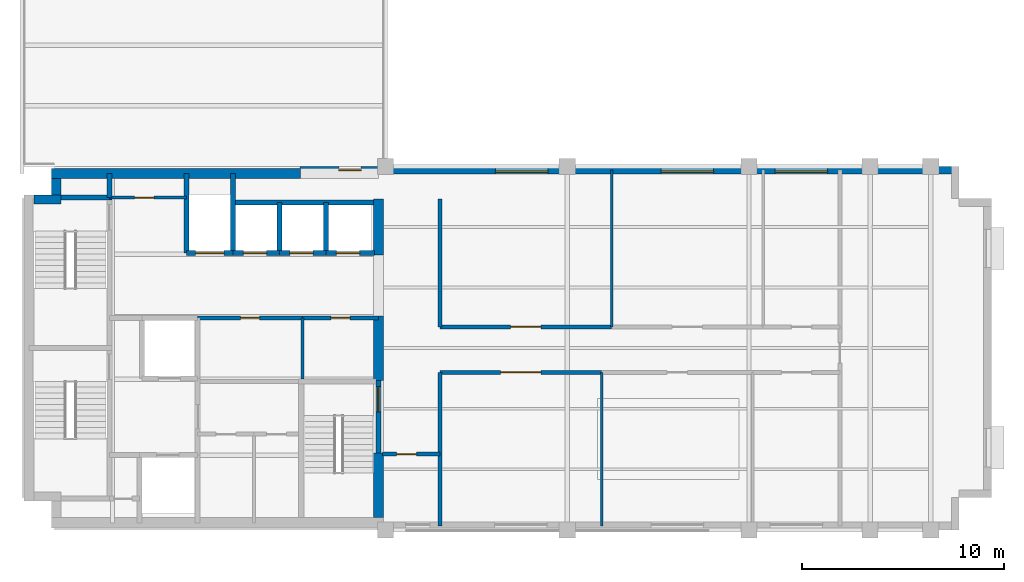
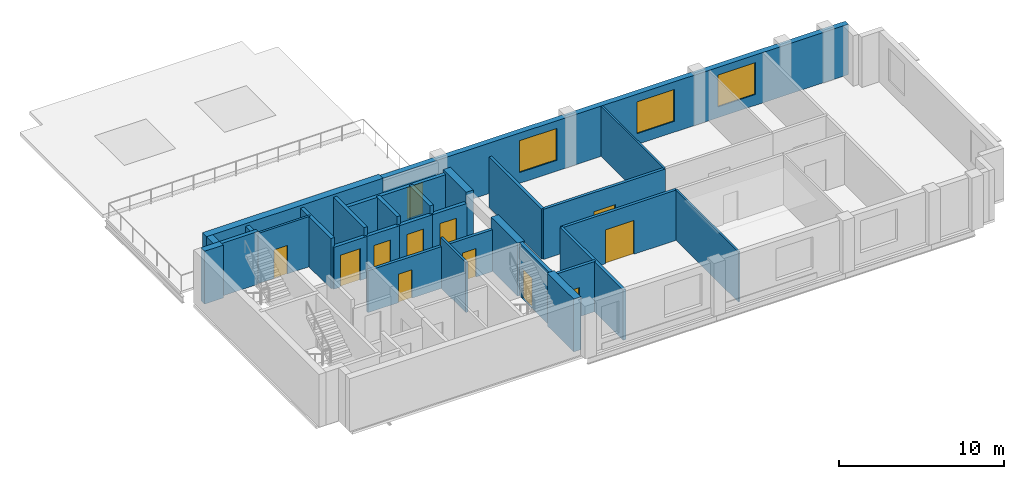
# One storey, part 3 of 5: 30 walls, 12 doors, 3 windows, 15 openings.
"""IFC4 building model written with IfcOpenShell, lengths in metres."""

from ifc_helpers import new_model, si_unit, direction, frame, frame_2d, origin, place, context, subcontext, project, spatial, rectangle, extrude, material, layer, layer_set, type_object, element, fill, save


model = new_model("IFC4")

# Units and contexts
model_context = context("Model", 3, precision=1e-05, world=origin(), true_north=direction((0.0, 1.0)))
body_context = subcontext(model_context, "Body", "Model", "MODEL_VIEW")
ifc_project = project(units=[si_unit("LENGTHUNIT", "METRE"), si_unit("AREAUNIT", "SQUARE_METRE"), si_unit("VOLUMEUNIT", "CUBIC_METRE"), si_unit("PLANEANGLEUNIT", "RADIAN"), si_unit("MASSUNIT", "GRAM", prefix="KILO")], contexts=[model_context])

# Site, building, storey
site_placement = place(None, origin())
site = spatial("IfcSite", under=ifc_project, at=site_placement, CompositionType="ELEMENT")
building_placement = place(site_placement, origin())
building = spatial("IfcBuilding", under=site, at=building_placement, Name="Mawjdan Bourse Tower", CompositionType="ELEMENT")
storey_placement = place(building_placement, frame((0.0, 0.0, 254.699951171875)))
storey = spatial("IfcBuildingStorey", under=building, at=storey_placement, Name="L62", CompositionType="ELEMENT", Elevation=254.699951171875)

# Wall, openings, door, windows
ifc_material_1 = material(Name="Brick Masonry Terracotta Red", Category="masonry")
ifc_layer_1 = layer(ifc_material_1, 0.3798828125)
ifc_layer_set_1 = layer_set([ifc_layer_1], Name="Brick Masonry Terracotta Red")
wall_type_1 = type_object("IfcWallType", Name="WL-BRK-RED-380", PredefinedType="STANDARD", material=ifc_layer_set_1)
wall_1_placement = place(storey_placement, frame((52.39990234375, 20.81005859375, 0.0), z_axis=(0.0, 0.0, 1.0), x_axis=(-1.0, 0.0, 0.0)))
wall_1 = element("IfcWall", 1, at=wall_1_placement, inside=storey, type_object=wall_type_1, Name="L62 Exterior Brick Wall 7", PredefinedType="STANDARD", context=body_context, shape_type="SweptSolid", body=[
    extrude(rectangle(XDim=32.619873046875, YDim=0.3798828125, at=frame_2d((16.31005859375, 0.0))), origin(), (0.0, 0.0, 1.0), 3.715087890625),
])
opening_1_placement = place(wall_1_placement, frame((29.60009765625, 0.0, 0.0)))
opening_1 = element("IfcOpeningElement", 2, at=opening_1_placement, cuts=wall_1, Name="Opening TD-L62-01", PredefinedType="OPENING", context=body_context, shape_type="SweptSolid", body=[
    extrude(rectangle(XDim=1.10009765625, YDim=2.300048828125, at=frame_2d((0.550048828125, 1.14990234375))), frame((0.0, 0.199951171875, 0.0), z_axis=(0.0, -1.0, 0.0), x_axis=(1.0, 0.0, 0.0)), (0.0, 0.0, 1.0), 0.39990234375),
])
opening_2_placement = place(wall_1_placement, frame((20.3544921875, 0.0, 0.800048828125)))
opening_2 = element("IfcOpeningElement", 3, at=opening_2_placement, cuts=wall_1, Name="Opening W-L62-07", PredefinedType="OPENING", context=body_context, shape_type="SweptSolid", body=[
    extrude(rectangle(XDim=2.60009765625, YDim=2.35009765625, at=frame_2d((1.300048828125, 1.175048828125))), frame((0.0, 0.199951171875, 0.0), z_axis=(0.0, -1.0, 0.0), x_axis=(1.0, 0.0, 0.0)), (0.0, 0.0, 1.0), 0.39990234375),
])
opening_3_placement = place(wall_1_placement, frame((12.154296875, 0.0, 0.800048828125)))
opening_3 = element("IfcOpeningElement", 4, at=opening_3_placement, cuts=wall_1, Name="Opening W-L62-08", PredefinedType="OPENING", context=body_context, shape_type="SweptSolid", body=[
    extrude(rectangle(XDim=2.60009765625, YDim=2.35009765625, at=frame_2d((1.300048828125, 1.175048828125))), frame((0.0, 0.199951171875, 0.0), z_axis=(0.0, -1.0, 0.0), x_axis=(1.0, 0.0, 0.0)), (0.0, 0.0, 1.0), 0.39990234375),
])
opening_4_placement = place(wall_1_placement, frame((6.50439453125, 0.0, 0.800048828125)))
opening_4 = element("IfcOpeningElement", 5, at=opening_4_placement, cuts=wall_1, Name="Opening W-L62-09", PredefinedType="OPENING", context=body_context, shape_type="SweptSolid", body=[
    extrude(rectangle(XDim=2.60009765625, YDim=2.35009765625, at=frame_2d((1.300048828125, 1.175048828125))), frame((0.0, 0.199951171875, 0.0), z_axis=(0.0, -1.0, 0.0), x_axis=(1.0, 0.0, 0.0)), (0.0, 0.0, 1.0), 0.39990234375),
])
ifc_material_2 = material(Name="Thermally Broken Glazed Aluminium", Category="aluminium")
door_type_1 = type_object("IfcDoorType", Name="DR-TER-1100", OperationType="NOTDEFINED", PredefinedType="DOOR", material=ifc_material_2)
door_1_placement = place(opening_1_placement, frame((1.10009765625, 0.0, 0.0), z_axis=(0.0, 0.0, 1.0), x_axis=(-1.0, 0.0, 0.0)))
door_1 = element("IfcDoor", 6, at=door_1_placement, inside=storey, type_object=door_type_1, Name="L62 Summit Sky Terrace Door", OperationType="SINGLE_SWING_RIGHT", OverallHeight=2.300048828125, OverallWidth=1.10009765625, PredefinedType="DOOR", context=body_context, shape_type="SweptSolid", body=[
    extrude(rectangle(XDim=1.10009765625, YDim=2.300048828125, at=frame_2d((0.550048828125, 1.14990234375))), frame((0.0, 0.02490234375, 0.0), z_axis=(0.0, -1.0, 0.0), x_axis=(1.0, 0.0, 0.0)), (0.0, 0.0, 1.0), 0.050048828125),
])
fill(opening_1, door_1)
ifc_material_3 = material(Name="Solar-Control Clear Double Glazing", Category="glass")
window_type = type_object("IfcWindowType", Name="WN-SMT-2600", PartitioningType="SINGLE_PANEL", PredefinedType="WINDOW", material=ifc_material_3)
window_1_placement = place(opening_2_placement, origin())
window_1 = element("IfcWindow", 7, at=window_1_placement, inside=storey, type_object=window_type, Name="L62 Deep-Set Masonry Window W-L62-07", OverallHeight=2.35009765625, OverallWidth=2.60009765625, PartitioningType="SINGLE_PANEL", PredefinedType="WINDOW", context=body_context, shape_type="SweptSolid", body=[
    extrude(rectangle(XDim=2.60009765625, YDim=2.35009765625, at=frame_2d((1.300048828125, 1.175048828125))), frame((0.0, 0.110107421875, 0.0), z_axis=(0.0, -1.0, 0.0), x_axis=(1.0, 0.0, 0.0)), (0.0, 0.0, 1.0), 0.06005859375),
])
fill(opening_2, window_1)
window_2_placement = place(opening_3_placement, origin())
window_2 = element("IfcWindow", 8, at=window_2_placement, inside=storey, type_object=window_type, Name="L62 Deep-Set Masonry Window W-L62-08", OverallHeight=2.35009765625, OverallWidth=2.60009765625, PartitioningType="SINGLE_PANEL", PredefinedType="WINDOW", context=body_context, shape_type="SweptSolid", body=[
    extrude(rectangle(XDim=2.60009765625, YDim=2.35009765625, at=frame_2d((1.300048828125, 1.175048828125))), frame((0.0, 0.110107421875, 0.0), z_axis=(0.0, -1.0, 0.0), x_axis=(1.0, 0.0, 0.0)), (0.0, 0.0, 1.0), 0.06005859375),
])
fill(opening_3, window_2)
window_3_placement = place(opening_4_placement, origin())
window_3 = element("IfcWindow", 9, at=window_3_placement, inside=storey, type_object=window_type, Name="L62 Deep-Set Masonry Window W-L62-09", OverallHeight=2.35009765625, OverallWidth=2.60009765625, PartitioningType="SINGLE_PANEL", PredefinedType="WINDOW", context=body_context, shape_type="SweptSolid", body=[
    extrude(rectangle(XDim=2.60009765625, YDim=2.35009765625, at=frame_2d((1.300048828125, 1.175048828125))), frame((0.0, 0.110107421875, 0.0), z_axis=(0.0, -1.0, 0.0), x_axis=(1.0, 0.0, 0.0)), (0.0, 0.0, 1.0), 0.06005859375),
])
fill(opening_4, window_3)

# Wall, opening, door
ifc_material_4 = material(Name="Gypsum Fireboard Assembly")
ifc_layer_2 = layer(ifc_material_4, 0.199951171875)
ifc_layer_set_2 = layer_set([ifc_layer_2], Name="Gypsum Fireboard Assembly")
wall_type_2 = type_object("IfcWallType", Name="WL-CMP-200", PredefinedType="PARTITIONING", material=ifc_layer_set_2)
wall_2_placement = place(storey_placement, frame((14.699951171875, 13.5, 0.0), z_axis=(0.0, 0.0, 1.0), x_axis=(1.0, 0.0, 0.0)))
wall_2 = element("IfcWall", 10, at=wall_2_placement, inside=storey, type_object=wall_type_2, Name="L62 Male Restroom North Wall", PredefinedType="PARTITIONING", context=body_context, shape_type="SweptSolid", body=[
    extrude(rectangle(XDim=5.199951171875, YDim=0.199951171875, at=frame_2d((2.60009765625, 0.0))), origin(), (0.0, 0.0, 1.0), 3.088134765625),
])
opening_5_placement = place(wall_2_placement, frame((2.125, 0.0, 0.0)))
opening_5 = element("IfcOpeningElement", 11, at=opening_5_placement, cuts=wall_2, Name="Opening D-L62-15", PredefinedType="OPENING", context=body_context, shape_type="SweptSolid", body=[
    extrude(rectangle(XDim=0.949951171875, YDim=2.10009765625, at=frame_2d((0.47509765625, 1.050048828125))), frame((0.0, 0.10986328125, 0.0), z_axis=(0.0, -1.0, 0.0), x_axis=(1.0, 0.0, 0.0)), (0.0, 0.0, 1.0), 0.219970703125),
])
ifc_material_5 = material(Name="Moisture-Resistant Laminate Timber", Category="wood")
door_type_2 = type_object("IfcDoorType", Name="DR-WET-0950", OperationType="NOTDEFINED", PredefinedType="DOOR", material=ifc_material_5)
door_2_placement = place(opening_5_placement, origin())
door_2 = element("IfcDoor", 12, at=door_2_placement, inside=storey, type_object=door_type_2, Name="L62 Male Restroom Door D-L62-15", OperationType="SINGLE_SWING_LEFT", OverallHeight=2.10009765625, OverallWidth=0.949951171875, PredefinedType="DOOR", context=body_context, shape_type="SweptSolid", body=[
    extrude(rectangle(XDim=0.949951171875, YDim=2.10009765625, at=frame_2d((0.47509765625, 1.050048828125))), frame((0.0, 0.02490234375, 0.0), z_axis=(0.0, -1.0, 0.0), x_axis=(1.0, 0.0, 0.0)), (0.0, 0.0, 1.0), 0.050048828125),
])
fill(opening_5, door_2)

wall_3_placement = place(storey_placement, frame((19.89990234375, 13.5, 0.0), z_axis=(0.0, 0.0, 1.0), x_axis=(1.0, 0.0, 0.0)))
wall_3 = element("IfcWall", 13, at=wall_3_placement, inside=storey, type_object=wall_type_2, Name="L62 Accessible WC North Wall", PredefinedType="PARTITIONING", context=body_context, shape_type="SweptSolid", body=[
    extrude(rectangle(XDim=3.75, YDim=0.199951171875, at=frame_2d((1.875, 0.0))), origin(), (0.0, 0.0, 1.0), 3.088134765625),
])
opening_6_placement = place(wall_3_placement, frame((1.39990234375, 0.0, 0.0)))
opening_6 = element("IfcOpeningElement", 14, at=opening_6_placement, cuts=wall_3, Name="Opening D-L62-16", PredefinedType="OPENING", context=body_context, shape_type="SweptSolid", body=[
    extrude(rectangle(XDim=0.949951171875, YDim=2.10009765625, at=frame_2d((0.47509765625, 1.050048828125))), frame((0.0, 0.10986328125, 0.0), z_axis=(0.0, -1.0, 0.0), x_axis=(1.0, 0.0, 0.0)), (0.0, 0.0, 1.0), 0.219970703125),
])
door_3_placement = place(opening_6_placement, origin())
door_3 = element("IfcDoor", 15, at=door_3_placement, inside=storey, type_object=door_type_2, Name="L62 Accessible WC Door D-L62-16", OperationType="SINGLE_SWING_RIGHT", OverallHeight=2.10009765625, OverallWidth=0.949951171875, PredefinedType="DOOR", context=body_context, shape_type="SweptSolid", body=[
    extrude(rectangle(XDim=0.949951171875, YDim=2.10009765625, at=frame_2d((0.47509765625, 1.050048828125))), frame((0.0, 0.02490234375, 0.0), z_axis=(0.0, -1.0, 0.0), x_axis=(1.0, 0.0, 0.0)), (0.0, 0.0, 1.0), 0.050048828125),
])
fill(opening_6, door_3)

wall_4_placement = place(storey_placement, frame((23.85009765625, 6.75, 0.0), z_axis=(0.0, 0.0, 1.0), x_axis=(1.0, 0.0, 0.0)))
wall_4 = element("IfcWall", 16, at=wall_4_placement, inside=storey, type_object=wall_type_2, Name="L62 West Pocket North Wall", PredefinedType="PARTITIONING", context=body_context, shape_type="SweptSolid", body=[
    extrude(rectangle(XDim=2.849853515625, YDim=0.199951171875, at=frame_2d((1.4248046875, 0.0))), origin(), (0.0, 0.0, 1.0), 3.705078125),
])
opening_7_placement = place(wall_4_placement, frame((0.699951171875, 0.0, 0.0)))
opening_7 = element("IfcOpeningElement", 17, at=opening_7_placement, cuts=wall_4, Name="Opening D-L62-18", PredefinedType="OPENING", context=body_context, shape_type="SweptSolid", body=[
    extrude(rectangle(XDim=1.0, YDim=2.14990234375, at=frame_2d((0.5, 1.074951171875))), frame((0.0, 0.10986328125, 0.0), z_axis=(0.0, -1.0, 0.0), x_axis=(1.0, 0.0, 0.0)), (0.0, 0.0, 1.0), 0.219970703125),
])
ifc_material_6 = material(Name="Hardwood Acoustic Leaf", Category="wood")
door_type_3 = type_object("IfcDoorType", Name="DR-OFC-1000", OperationType="NOTDEFINED", PredefinedType="DOOR", material=ifc_material_6)
door_4_placement = place(opening_7_placement, origin())
door_4 = element("IfcDoor", 18, at=door_4_placement, inside=storey, type_object=door_type_3, Name="L62 West Pocket Office Door D-L62-18", OperationType="SINGLE_SWING_RIGHT", OverallHeight=2.14990234375, OverallWidth=1.0, PredefinedType="DOOR", context=body_context, shape_type="SweptSolid", body=[
    extrude(rectangle(XDim=1.0, YDim=2.14990234375, at=frame_2d((0.5, 1.074951171875))), frame((0.0, 0.02490234375, 0.0), z_axis=(0.0, -1.0, 0.0), x_axis=(1.0, 0.0, 0.0)), (0.0, 0.0, 1.0), 0.050048828125),
])
fill(opening_7, door_4)

# Walls
wall_5_placement = place(storey_placement, frame((26.699951171875, 3.179931640625, 0.0), z_axis=(0.0, 0.0, 1.0), x_axis=(0.0, 1.0, 0.0)))
element("IfcWall", 19, at=wall_5_placement, inside=storey, type_object=wall_type_2, Name="L62 Vestibule South East Wall", PredefinedType="PARTITIONING", context=body_context, shape_type="SweptSolid", body=[
    extrude(rectangle(XDim=7.6201171875, YDim=0.199951171875, at=frame_2d((3.81005859375, 0.0))), origin(), (0.0, 0.0, 1.0), 3.705078125),
])
wall_6_placement = place(storey_placement, frame((26.699951171875, 13.050048828125, 0.0), z_axis=(0.0, 0.0, 1.0), x_axis=(0.0, 1.0, 0.0)))
element("IfcWall", 20, at=wall_6_placement, inside=storey, type_object=wall_type_2, Name="L62 Vestibule North East Wall", PredefinedType="PARTITIONING", context=body_context, shape_type="SweptSolid", body=[
    extrude(rectangle(XDim=6.329833984375, YDim=0.199951171875, at=frame_2d((3.1650390625, 0.0))), origin(), (0.0, 0.0, 1.0), 3.705078125),
])

# Wall, opening, door
wall_7_placement = place(storey_placement, frame((26.699951171875, 10.800048828125, 0.0), z_axis=(0.0, 0.0, 1.0), x_axis=(1.0, 0.0, 0.0)))
wall_7 = element("IfcWall", 21, at=wall_7_placement, inside=storey, type_object=wall_type_2, Name="L62 Summit Terrace Reception Hall Corridor Wall", PredefinedType="PARTITIONING", context=body_context, shape_type="SweptSolid", body=[
    extrude(rectangle(XDim=8.0, YDim=0.199951171875, at=frame_2d((4.0, 0.0))), origin(), (0.0, 0.0, 1.0), 3.705078125),
])
opening_8_placement = place(wall_7_placement, frame((3.0, 0.0, 0.0)))
opening_8 = element("IfcOpeningElement", 22, at=opening_8_placement, cuts=wall_7, Name="Opening D-L62-19", PredefinedType="OPENING", context=body_context, shape_type="SweptSolid", body=[
    extrude(rectangle(XDim=2.0, YDim=2.5, at=frame_2d((1.0, 1.25))), frame((0.0, 0.10986328125, 0.0), z_axis=(0.0, -1.0, 0.0), x_axis=(1.0, 0.0, 0.0)), (0.0, 0.0, 1.0), 0.219970703125),
])
ifc_material_7 = material(Name="Acoustic Veneered Timber", Category="wood")
door_type_4 = type_object("IfcDoorType", Name="DR-ASM-2000", OperationType="DOUBLE_DOOR_SINGLE_SWING", PredefinedType="DOOR", material=ifc_material_7)
door_5_placement = place(opening_8_placement, origin())
door_5 = element("IfcDoor", 23, at=door_5_placement, inside=storey, type_object=door_type_4, Name="L62 Summit Terrace Reception Hall Door D-L62-19", OperationType="DOUBLE_DOOR_SINGLE_SWING", OverallHeight=2.5, OverallWidth=2.0, PredefinedType="DOOR", context=body_context, shape_type="SweptSolid", body=[
    extrude(rectangle(XDim=2.0, YDim=2.5, at=frame_2d((1.0, 1.25))), frame((0.0, 0.02490234375, 0.0), z_axis=(0.0, -1.0, 0.0), x_axis=(1.0, 0.0, 0.0)), (0.0, 0.0, 1.0), 0.050048828125),
])
fill(opening_8, door_5)

wall_8_placement = place(storey_placement, frame((26.699951171875, 13.050048828125, 0.0), z_axis=(0.0, 0.0, 1.0), x_axis=(1.0, 0.0, 0.0)))
wall_8 = element("IfcWall", 24, at=wall_8_placement, inside=storey, type_object=wall_type_2, Name="L62 Conference Room Corridor Wall", PredefinedType="PARTITIONING", context=body_context, shape_type="SweptSolid", body=[
    extrude(rectangle(XDim=8.5, YDim=0.199951171875, at=frame_2d((4.25, 0.0))), origin(), (0.0, 0.0, 1.0), 3.705078125),
])
opening_9_placement = place(wall_8_placement, frame((3.5, 0.0, 0.0)))
opening_9 = element("IfcOpeningElement", 25, at=opening_9_placement, cuts=wall_8, Name="Opening D-L62-22", PredefinedType="OPENING", context=body_context, shape_type="SweptSolid", body=[
    extrude(rectangle(XDim=1.5, YDim=2.300048828125, at=frame_2d((0.75, 1.14990234375))), frame((0.0, 0.10986328125, 0.0), z_axis=(0.0, -1.0, 0.0), x_axis=(1.0, 0.0, 0.0)), (0.0, 0.0, 1.0), 0.219970703125),
])
ifc_material_8 = material(Name="Acoustic Glazed Timber", Category="wood")
door_type_5 = type_object("IfcDoorType", Name="DR-CNF-1500", OperationType="DOUBLE_DOOR_SINGLE_SWING", PredefinedType="DOOR", material=ifc_material_8)
door_6_placement = place(opening_9_placement, origin())
door_6 = element("IfcDoor", 26, at=door_6_placement, inside=storey, type_object=door_type_5, Name="L62 Conference Room Door D-L62-22", OperationType="DOUBLE_DOOR_SINGLE_SWING", OverallHeight=2.300048828125, OverallWidth=1.5, PredefinedType="DOOR", context=body_context, shape_type="SweptSolid", body=[
    extrude(rectangle(XDim=1.5, YDim=2.300048828125, at=frame_2d((0.75, 1.14990234375))), frame((0.0, 0.02490234375, 0.0), z_axis=(0.0, -1.0, 0.0), x_axis=(1.0, 0.0, 0.0)), (0.0, 0.0, 1.0), 0.050048828125),
])
fill(opening_9, door_6)

# Walls
ifc_material_9 = material(Name="Concrete C60/75", Category="concrete")
ifc_layer_3 = layer(ifc_material_9, 0.449951171875)
ifc_layer_set_3 = layer_set([ifc_layer_3], Name="Concrete C60/75")
wall_type_3 = type_object("IfcWallType", Name="WL-CORE-450", PredefinedType="SHEAR", material=ifc_layer_set_3)
wall_9_placement = place(storey_placement, frame((6.60009765625, 19.35009765625, 0.0), z_axis=(0.0, 0.0, 1.0), x_axis=(1.0, 0.0, 0.0)))
element("IfcWall", 27, at=wall_9_placement, inside=storey, type_object=wall_type_3, Name="L62 Rear Core Shear Wall NW-X", PredefinedType="SHEAR", context=body_context, shape_type="SweptSolid", body=[
    extrude(rectangle(XDim=1.324951171875, YDim=0.449951171875, at=frame_2d((0.66259765625, 0.0))), origin(), (0.0, 0.0, 1.0), 3.900146484375),
])
wall_10_placement = place(storey_placement, frame((7.699951171875, 19.574951171875, 0.0), z_axis=(0.0, 0.0, 1.0), x_axis=(0.0, 1.0, 0.0)))
element("IfcWall", 28, at=wall_10_placement, inside=storey, type_object=wall_type_3, Name="L62 Rear Core Shear Wall NW-Y", PredefinedType="SHEAR", context=body_context, shape_type="SweptSolid", body=[
    extrude(rectangle(XDim=0.824951171875, YDim=0.449951171875, at=frame_2d((0.41259765625, 0.0))), origin(), (0.0, 0.0, 1.0), 3.900146484375),
])
ifc_layer_4 = layer(ifc_material_9, 0.5)
ifc_layer_set_4 = layer_set([ifc_layer_4], Name="Concrete C60/75")
wall_type_4 = type_object("IfcWallType", Name="WL-CORE-500", PredefinedType="SHEAR", material=ifc_layer_set_4)
wall_11_placement = place(storey_placement, frame((7.47509765625, 20.64990234375, 0.0), z_axis=(0.0, 0.0, 1.0), x_axis=(1.0, 0.0, 0.0)))
element("IfcWall", 29, at=wall_11_placement, inside=storey, type_object=wall_type_4, Name="L62 Rear Core Shear Wall N", PredefinedType="SHEAR", context=body_context, shape_type="SweptSolid", body=[
    extrude(rectangle(XDim=12.324951171875, YDim=0.5, at=frame_2d((6.16259765625, 0.0))), origin(), (0.0, 0.0, 1.0), 3.900146484375),
])
wall_12_placement = place(storey_placement, frame((23.64990234375, 3.60009765625, 0.0), z_axis=(0.0, 0.0, 1.0), x_axis=(0.0, 1.0, 0.0)))
element("IfcWall", 30, at=wall_12_placement, inside=storey, type_object=wall_type_4, Name="L62 Rear Core Shear Wall E1", PredefinedType="SHEAR", context=body_context, shape_type="SweptSolid", body=[
    extrude(rectangle(XDim=3.199951171875, YDim=0.5, at=frame_2d((1.60009765625, 0.0))), origin(), (0.0, 0.0, 1.0), 3.900146484375),
])
wall_13_placement = place(storey_placement, frame((23.64990234375, 10.39990234375, 0.0), z_axis=(0.0, 0.0, 1.0), x_axis=(0.0, 1.0, 0.0)))
element("IfcWall", 31, at=wall_13_placement, inside=storey, type_object=wall_type_4, Name="L62 Rear Core Shear Wall E2", PredefinedType="SHEAR", context=body_context, shape_type="SweptSolid", body=[
    extrude(rectangle(XDim=3.2001953125, YDim=0.5, at=frame_2d((1.60009765625, 0.0))), origin(), (0.0, 0.0, 1.0), 3.900146484375),
])
wall_14_placement = place(storey_placement, frame((23.64990234375, 16.60009765625, 0.0), z_axis=(0.0, 0.0, 1.0), x_axis=(0.0, 1.0, 0.0)))
element("IfcWall", 32, at=wall_14_placement, inside=storey, type_object=wall_type_4, Name="L62 Rear Core Shear Wall E3", PredefinedType="SHEAR", context=body_context, shape_type="SweptSolid", body=[
    extrude(rectangle(XDim=2.77978515625, YDim=0.5, at=frame_2d((1.389892578125, 0.0))), origin(), (0.0, 0.0, 1.0), 3.900146484375),
])
ifc_material_10 = material(Name="Gypsum Partition")
ifc_layer_5 = layer(ifc_material_10, 0.125)
ifc_layer_set_5 = layer_set([ifc_layer_5], Name="Gypsum Partition")
wall_type_5 = type_object("IfcWallType", Name="WL-PRT-125", PredefinedType="PARTITIONING", material=ifc_layer_set_5)
wall_15_placement = place(storey_placement, frame((34.699951171875, 3.179931640625, 0.0), z_axis=(0.0, 0.0, 1.0), x_axis=(0.0, 1.0, 0.0)))
element("IfcWall", 33, at=wall_15_placement, inside=storey, type_object=wall_type_5, Name="L62 Executive Office Partition", PredefinedType="PARTITIONING", context=body_context, shape_type="SweptSolid", body=[
    extrude(rectangle(XDim=7.6201171875, YDim=0.125, at=frame_2d((3.81005859375, 0.0))), origin(), (0.0, 0.0, 1.0), 3.705078125),
])
wall_16_placement = place(storey_placement, frame((35.199951171875, 13.050048828125, 0.0), z_axis=(0.0, 0.0, 1.0), x_axis=(0.0, 1.0, 0.0)))
element("IfcWall", 34, at=wall_16_placement, inside=storey, type_object=wall_type_5, Name="L62 Board Dining Room Partition", PredefinedType="PARTITIONING", context=body_context, shape_type="SweptSolid", body=[
    extrude(rectangle(XDim=7.77001953125, YDim=0.125, at=frame_2d((3.885009765625, 0.0))), origin(), (0.0, 0.0, 1.0), 3.705078125),
])
ifc_material_11 = material(Name="Gypsum Acoustic Partition")
ifc_layer_6 = layer(ifc_material_11, 0.14990234375)
ifc_layer_set_6 = layer_set([ifc_layer_6], Name="Gypsum Acoustic Partition")
wall_type_6 = type_object("IfcWallType", Name="WL-PRT-150", PredefinedType="PARTITIONING", material=ifc_layer_set_6)
wall_17_placement = place(storey_placement, frame((19.89990234375, 10.465087890625, 0.0), z_axis=(0.0, 0.0, 1.0), x_axis=(0.0, 1.0, 0.0)))
element("IfcWall", 35, at=wall_17_placement, inside=storey, type_object=wall_type_6, Name="L62 Accessible WC Split Wall", PredefinedType="PARTITIONING", context=body_context, shape_type="SweptSolid", body=[
    extrude(rectangle(XDim=3.034912109375, YDim=0.14990234375, at=frame_2d((1.517578125, 0.0))), origin(), (0.0, 0.0, 1.0), 3.705078125),
])

# Wall, opening, door
wall_18_placement = place(storey_placement, frame((10.330078125, 19.449951171875, 0.0), z_axis=(0.0, 0.0, 1.0), x_axis=(1.0, 0.0, 0.0)))
wall_18 = element("IfcWall", 36, at=wall_18_placement, inside=storey, type_object=wall_type_6, Name="L62 Housekeeping South Wall", PredefinedType="PARTITIONING", context=body_context, shape_type="SweptSolid", body=[
    extrude(rectangle(XDim=3.81982421875, YDim=0.14990234375, at=frame_2d((1.909912109375, 0.0))), origin(), (0.0, 0.0, 1.0), 3.705078125),
])
opening_10_placement = place(wall_18_placement, frame((1.25, 0.0, 0.0)))
opening_10 = element("IfcOpeningElement", 37, at=opening_10_placement, cuts=wall_18, Name="Opening D-L62-17", PredefinedType="OPENING", context=body_context, shape_type="SweptSolid", body=[
    extrude(rectangle(XDim=0.949951171875, YDim=2.10009765625, at=frame_2d((0.47509765625, 1.050048828125))), frame((0.0, 0.0849609375, 0.0), z_axis=(0.0, -1.0, 0.0), x_axis=(1.0, 0.0, 0.0)), (0.0, 0.0, 1.0), 0.169921875),
])
door_7_placement = place(opening_10_placement, origin())
door_7 = element("IfcDoor", 38, at=door_7_placement, inside=storey, type_object=door_type_2, Name="L62 Housekeeping Closet Door D-L62-17", OperationType="SINGLE_SWING_LEFT", OverallHeight=2.10009765625, OverallWidth=0.949951171875, PredefinedType="DOOR", context=body_context, shape_type="SweptSolid", body=[
    extrude(rectangle(XDim=0.949951171875, YDim=2.10009765625, at=frame_2d((0.47509765625, 1.050048828125))), frame((0.0, 0.02490234375, 0.0), z_axis=(0.0, -1.0, 0.0), x_axis=(1.0, 0.0, 0.0)), (0.0, 0.0, 1.0), 0.050048828125),
])
fill(opening_10, door_7)

# Wall
ifc_material_12 = material(Name="Concrete C50/60", Category="concrete")
ifc_layer_7 = layer(ifc_material_12, 0.25)
ifc_layer_set_7 = layer_set([ifc_layer_7], Name="Concrete C50/60")
wall_type_7 = type_object("IfcWallType", Name="WL-SHFT-250", PredefinedType="PARTITIONING", material=ifc_layer_set_7)
wall_19_placement = place(storey_placement, frame((10.330078125, 19.449951171875, 0.0), z_axis=(0.0, 0.0, 1.0), x_axis=(0.0, 1.0, 0.0)))
element("IfcWall", 39, at=wall_19_placement, inside=storey, type_object=wall_type_7, Name="L62 NW Riser East Wall", PredefinedType="PARTITIONING", context=body_context, shape_type="SweptSolid", body=[
    extrude(rectangle(XDim=1.199951171875, YDim=0.25, at=frame_2d((0.60009765625, 0.0))), origin(), (0.0, 0.0, 1.0), 3.705078125),
])

# Wall, opening, door
wall_20_placement = place(storey_placement, frame((14.14990234375, 16.699951171875, 0.0), z_axis=(0.0, 0.0, 1.0), x_axis=(1.0, 0.0, 0.0)))
wall_20 = element("IfcWall", 40, at=wall_20_placement, inside=storey, type_object=wall_type_7, Name="L62 SVL-01 Front Shaft Wall", PredefinedType="PARTITIONING", context=body_context, shape_type="SweptSolid", body=[
    extrude(rectangle(XDim=2.300048828125, YDim=0.25, at=frame_2d((1.14990234375, 0.0))), origin(), (0.0, 0.0, 1.0), 3.088134765625),
])
opening_11_placement = place(wall_20_placement, frame((0.449951171875, 0.0, 0.0)))
opening_11 = element("IfcOpeningElement", 41, at=opening_11_placement, cuts=wall_20, Name="Opening LD-L62-09", PredefinedType="OPENING", context=body_context, shape_type="SweptSolid", body=[
    extrude(rectangle(XDim=1.39990234375, YDim=2.35009765625, at=frame_2d((0.699951171875, 1.175048828125))), frame((0.0, 0.135009765625, 0.0), z_axis=(0.0, -1.0, 0.0), x_axis=(1.0, 0.0, 0.0)), (0.0, 0.0, 1.0), 0.27001953125),
])
ifc_material_13 = material(Name="Heavy-Duty Stainless Steel", Category="steel")
door_type_6 = type_object("IfcDoorType", Name="LD-SRV-1400", OperationType="DOUBLE_DOOR_SLIDING", PredefinedType="DOOR", material=ifc_material_13)
door_8_placement = place(opening_11_placement, origin())
door_8 = element("IfcDoor", 42, at=door_8_placement, inside=storey, type_object=door_type_6, Name="L62 Service Lift SVL-01 Landing Door LD-L62-09", OperationType="DOUBLE_DOOR_SLIDING", OverallHeight=2.35009765625, OverallWidth=1.39990234375, PredefinedType="DOOR", context=body_context, shape_type="SweptSolid", body=[
    extrude(rectangle(XDim=1.39990234375, YDim=2.35009765625, at=frame_2d((0.699951171875, 1.175048828125))), frame((0.0, 0.02490234375, 0.0), z_axis=(0.0, -1.0, 0.0), x_axis=(1.0, 0.0, 0.0)), (0.0, 0.0, 1.0), 0.050048828125),
])
fill(opening_11, door_8)

# Walls
for number, where, z_axis, x_axis, name in (
    (43, (14.14990234375, 16.699951171875, 0.0), (0.0, 0.0, 1.0), (0.0, 1.0, 0.0), "L62 SVL-01 West Shaft Wall"),
    (44, (16.449951171875, 16.699951171875, 0.0), (0.0, 0.0, 1.0), (0.0, 1.0, 0.0), "L62 SVL-01 East Shaft Wall"),
):
    element("IfcWall", number, at=place(storey_placement, frame(where, z_axis=z_axis, x_axis=x_axis)), inside=storey, type_object=wall_type_7, Name=name, PredefinedType="PARTITIONING", context=body_context, shape_type="SweptSolid", body=[
        extrude(rectangle(XDim=3.949951171875, YDim=0.25, at=frame_2d((1.97509765625, 0.0))), origin(), (0.0, 0.0, 1.0), 3.705078125),
    ])

# Wall, opening, door
wall_21_placement = place(storey_placement, frame((16.449951171875, 16.699951171875, 0.0), z_axis=(0.0, 0.0, 1.0), x_axis=(1.0, 0.0, 0.0)))
wall_21 = element("IfcWall", 45, at=wall_21_placement, inside=storey, type_object=wall_type_7, Name="L62 PH-01 Front Wall", PredefinedType="PARTITIONING", context=body_context, shape_type="SweptSolid", body=[
    extrude(rectangle(XDim=2.300048828125, YDim=0.25, at=frame_2d((1.14990234375, 0.0))), origin(), (0.0, 0.0, 1.0), 3.088134765625),
])
opening_12_placement = place(wall_21_placement, frame((0.52001953125, 0.0, 0.0)))
opening_12 = element("IfcOpeningElement", 46, at=opening_12_placement, cuts=wall_21, Name="Opening LD-L62-10", PredefinedType="OPENING", context=body_context, shape_type="SweptSolid", body=[
    extrude(rectangle(XDim=1.14990234375, YDim=2.25, at=frame_2d((0.574951171875, 1.125))), frame((0.0, 0.135009765625, 0.0), z_axis=(0.0, -1.0, 0.0), x_axis=(1.0, 0.0, 0.0)), (0.0, 0.0, 1.0), 0.27001953125),
])
ifc_material_14 = material(Name="Brushed Stainless Steel", Category="steel")
door_type_7 = type_object("IfcDoorType", Name="LD-PAS-1150", OperationType="DOUBLE_DOOR_SLIDING", PredefinedType="DOOR", material=ifc_material_14)
door_9_placement = place(opening_12_placement, origin())
door_9 = element("IfcDoor", 47, at=door_9_placement, inside=storey, type_object=door_type_7, Name="L62 Lift PH-01 Landing Door LD-L62-10", OperationType="DOUBLE_DOOR_SLIDING", OverallHeight=2.25, OverallWidth=1.14990234375, PredefinedType="DOOR", context=body_context, shape_type="SweptSolid", body=[
    extrude(rectangle(XDim=1.14990234375, YDim=2.25, at=frame_2d((0.574951171875, 1.125))), frame((0.0, 0.02490234375, 0.0), z_axis=(0.0, -1.0, 0.0), x_axis=(1.0, 0.0, 0.0)), (0.0, 0.0, 1.0), 0.050048828125),
])
fill(opening_12, door_9)

# Wall
wall_22_placement = place(storey_placement, frame((18.75, 16.699951171875, 0.0), z_axis=(0.0, 0.0, 1.0), x_axis=(0.0, 1.0, 0.0)))
element("IfcWall", 48, at=wall_22_placement, inside=storey, type_object=wall_type_7, Name="L62 PH-01 Divider Wall", PredefinedType="PARTITIONING", context=body_context, shape_type="SweptSolid", body=[
    extrude(rectangle(XDim=2.5, YDim=0.25, at=frame_2d((1.25, 0.0))), origin(), (0.0, 0.0, 1.0), 3.705078125),
])

# Wall, opening, door
wall_23_placement = place(storey_placement, frame((18.75, 16.699951171875, 0.0), z_axis=(0.0, 0.0, 1.0), x_axis=(1.0, 0.0, 0.0)))
wall_23 = element("IfcWall", 49, at=wall_23_placement, inside=storey, type_object=wall_type_7, Name="L62 PH-02 Front Wall", PredefinedType="PARTITIONING", context=body_context, shape_type="SweptSolid", body=[
    extrude(rectangle(XDim=2.300048828125, YDim=0.25, at=frame_2d((1.14990234375, 0.0))), origin(), (0.0, 0.0, 1.0), 3.088134765625),
])
opening_13_placement = place(wall_23_placement, frame((0.52001953125, 0.0, 0.0)))
opening_13 = element("IfcOpeningElement", 50, at=opening_13_placement, cuts=wall_23, Name="Opening LD-L62-11", PredefinedType="OPENING", context=body_context, shape_type="SweptSolid", body=[
    extrude(rectangle(XDim=1.14990234375, YDim=2.25, at=frame_2d((0.574951171875, 1.125))), frame((0.0, 0.135009765625, 0.0), z_axis=(0.0, -1.0, 0.0), x_axis=(1.0, 0.0, 0.0)), (0.0, 0.0, 1.0), 0.27001953125),
])
door_10_placement = place(opening_13_placement, origin())
door_10 = element("IfcDoor", 51, at=door_10_placement, inside=storey, type_object=door_type_7, Name="L62 Lift PH-02 Landing Door LD-L62-11", OperationType="DOUBLE_DOOR_SLIDING", OverallHeight=2.25, OverallWidth=1.14990234375, PredefinedType="DOOR", context=body_context, shape_type="SweptSolid", body=[
    extrude(rectangle(XDim=1.14990234375, YDim=2.25, at=frame_2d((0.574951171875, 1.125))), frame((0.0, 0.02490234375, 0.0), z_axis=(0.0, -1.0, 0.0), x_axis=(1.0, 0.0, 0.0)), (0.0, 0.0, 1.0), 0.050048828125),
])
fill(opening_13, door_10)

# Wall
wall_24_placement = place(storey_placement, frame((21.050048828125, 16.699951171875, 0.0), z_axis=(0.0, 0.0, 1.0), x_axis=(0.0, 1.0, 0.0)))
element("IfcWall", 52, at=wall_24_placement, inside=storey, type_object=wall_type_7, Name="L62 PH-02 Divider Wall", PredefinedType="PARTITIONING", context=body_context, shape_type="SweptSolid", body=[
    extrude(rectangle(XDim=2.5, YDim=0.25, at=frame_2d((1.25, 0.0))), origin(), (0.0, 0.0, 1.0), 3.705078125),
])

# Wall, opening, door
wall_25_placement = place(storey_placement, frame((21.050048828125, 16.699951171875, 0.0), z_axis=(0.0, 0.0, 1.0), x_axis=(1.0, 0.0, 0.0)))
wall_25 = element("IfcWall", 53, at=wall_25_placement, inside=storey, type_object=wall_type_7, Name="L62 PH-03 Front Wall", PredefinedType="PARTITIONING", context=body_context, shape_type="SweptSolid", body=[
    extrude(rectangle(XDim=2.39990234375, YDim=0.25, at=frame_2d((1.199951171875, 0.0))), origin(), (0.0, 0.0, 1.0), 3.088134765625),
])
opening_14_placement = place(wall_25_placement, frame((0.52001953125, 0.0, 0.0)))
opening_14 = element("IfcOpeningElement", 54, at=opening_14_placement, cuts=wall_25, Name="Opening LD-L62-12", PredefinedType="OPENING", context=body_context, shape_type="SweptSolid", body=[
    extrude(rectangle(XDim=1.14990234375, YDim=2.25, at=frame_2d((0.574951171875, 1.125))), frame((0.0, 0.135009765625, 0.0), z_axis=(0.0, -1.0, 0.0), x_axis=(1.0, 0.0, 0.0)), (0.0, 0.0, 1.0), 0.27001953125),
])
door_11_placement = place(opening_14_placement, origin())
door_11 = element("IfcDoor", 55, at=door_11_placement, inside=storey, type_object=door_type_7, Name="L62 Lift PH-03 Landing Door LD-L62-12", OperationType="DOUBLE_DOOR_SLIDING", OverallHeight=2.25, OverallWidth=1.14990234375, PredefinedType="DOOR", context=body_context, shape_type="SweptSolid", body=[
    extrude(rectangle(XDim=1.14990234375, YDim=2.25, at=frame_2d((0.574951171875, 1.125))), frame((0.0, 0.02490234375, 0.0), z_axis=(0.0, -1.0, 0.0), x_axis=(1.0, 0.0, 0.0)), (0.0, 0.0, 1.0), 0.050048828125),
])
fill(opening_14, door_11)

# Walls
wall_26_placement = place(storey_placement, frame((16.449951171875, 19.199951171875, 0.0), z_axis=(0.0, 0.0, 1.0), x_axis=(1.0, 0.0, 0.0)))
element("IfcWall", 56, at=wall_26_placement, inside=storey, type_object=wall_type_7, Name="L62 PH Bank North Shaft Back Wall", PredefinedType="PARTITIONING", context=body_context, shape_type="SweptSolid", body=[
    extrude(rectangle(XDim=7.199951171875, YDim=0.25, at=frame_2d((3.60009765625, 0.0))), origin(), (0.0, 0.0, 1.0), 3.705078125),
])
ifc_layer_8 = layer(ifc_material_12, 0.25)
ifc_layer_set_8 = layer_set([ifc_layer_8], Name="Concrete C50/60")
wall_type_8 = type_object("IfcWallType", Name="WL-STRW-250", PredefinedType="SHEAR", material=ifc_layer_set_8)
wall_27_placement = place(storey_placement, frame((7.699951171875, 19.449951171875, 0.0), z_axis=(0.0, 0.0, 1.0), x_axis=(1.0, 0.0, 0.0)))
element("IfcWall", 57, at=wall_27_placement, inside=storey, type_object=wall_type_8, Name="L62 Stairwell ST2 North Shaft Wall", PredefinedType="SHEAR", context=body_context, shape_type="SweptSolid", body=[
    extrude(rectangle(XDim=2.755126953125, YDim=0.25, at=frame_2d((1.37744140625, 0.0))), origin(), (0.0, 0.0, 1.0), 3.900146484375),
])

# Wall, opening, door
wall_28_placement = place(storey_placement, frame((23.64990234375, 6.800048828125, 0.0), z_axis=(0.0, 0.0, 1.0), x_axis=(0.0, 1.0, 0.0)))
wall_28 = element("IfcWall", 58, at=wall_28_placement, inside=storey, type_object=wall_type_8, Name="L62 ST7 East Shaft Wall", PredefinedType="SHEAR", context=body_context, shape_type="SweptSolid", body=[
    extrude(rectangle(XDim=3.599853515625, YDim=0.25, at=frame_2d((1.7998046875, 0.0))), origin(), (0.0, 0.0, 1.0), 3.900146484375),
])
opening_15_placement = place(wall_28_placement, frame((2.0400390625, 0.0, 0.0)))
opening_15 = element("IfcOpeningElement", 59, at=opening_15_placement, cuts=wall_28, Name="Opening SD-L62-26", PredefinedType="OPENING", context=body_context, shape_type="SweptSolid", body=[
    extrude(rectangle(XDim=1.25, YDim=2.199951171875, at=frame_2d((0.625, 1.10009765625))), frame((0.0, 0.135009765625, 0.0), z_axis=(0.0, -1.0, 0.0), x_axis=(1.0, 0.0, 0.0)), (0.0, 0.0, 1.0), 0.27001953125),
])
ifc_material_15 = material(Name="Fire-Rated Steel Leaf", Category="steel")
door_type_8 = type_object("IfcDoorType", Name="FD-ST-1250", OperationType="NOTDEFINED", PredefinedType="DOOR", material=ifc_material_15)
door_12_placement = place(opening_15_placement, origin())
door_12 = element("IfcDoor", 60, at=door_12_placement, inside=storey, type_object=door_type_8, Name="L62 Stair ST7 Fire Door SD-L62-26", OperationType="SINGLE_SWING_RIGHT", OverallHeight=2.199951171875, OverallWidth=1.25, PredefinedType="DOOR", context=body_context, shape_type="SweptSolid", body=[
    extrude(rectangle(XDim=1.25, YDim=2.199951171875, at=frame_2d((0.625, 1.10009765625))), frame((0.0, 0.02490234375, 0.0), z_axis=(0.0, -1.0, 0.0), x_axis=(1.0, 0.0, 0.0)), (0.0, 0.0, 1.0), 0.050048828125),
])
fill(opening_15, door_12)

save(model, "model.ifc")
